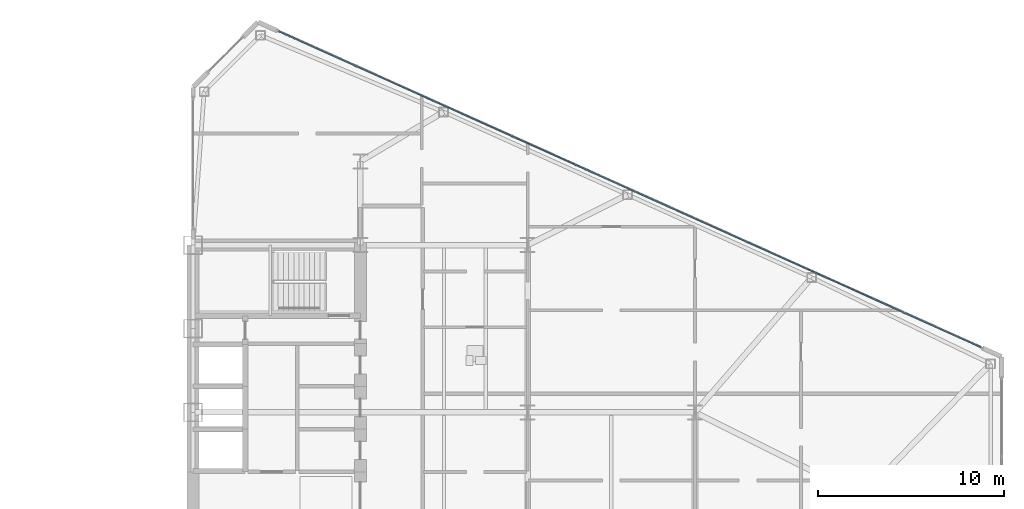
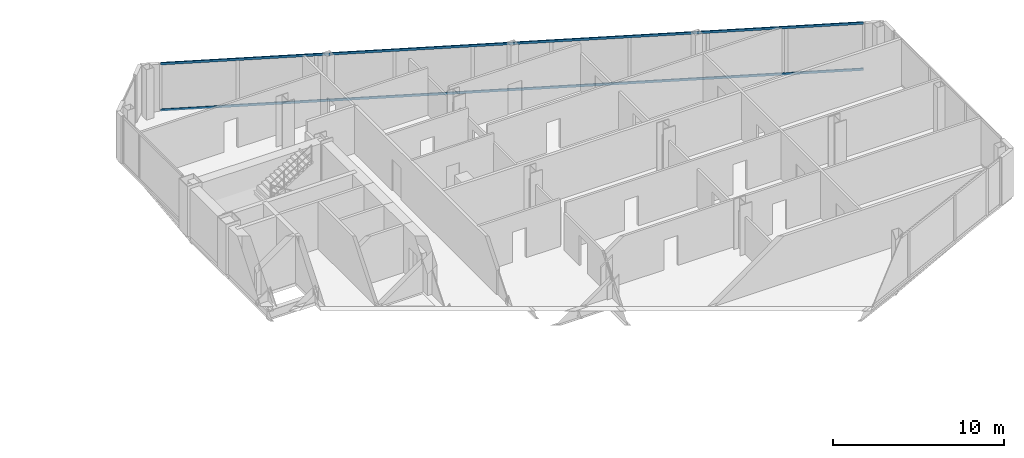
# One storey, part 14 of 27: 2 members, 1 element without a shape of its own.
"""IFC4 building model written with IfcOpenShell, lengths in metres."""

from ifc_helpers import new_model, si_unit, direction, frame, origin, origin_2d, place, context, subcontext, project, spatial, rectangle, extrude, source, transform, mapped, material, layer, layer_set, material_profile, profile_set, type_object, type_shapes, element, aggregate, save


model = new_model("IFC4")

# Units and contexts
model_context = context("Model", 3, precision=1e-05, world=origin(), true_north=direction((0.0, 1.0)))
body_context = subcontext(model_context, "Body", "Model", "MODEL_VIEW")
ifc_project = project(units=[si_unit("LENGTHUNIT", "METRE"), si_unit("AREAUNIT", "SQUARE_METRE"), si_unit("VOLUMEUNIT", "CUBIC_METRE"), si_unit("PLANEANGLEUNIT", "RADIAN"), si_unit("MASSUNIT", "GRAM", prefix="KILO")], contexts=[model_context])

# Site, building, storey
site_placement = place(None, origin())
site = spatial("IfcSite", under=ifc_project, at=site_placement, CompositionType="ELEMENT")
building_placement = place(site_placement, origin())
building = spatial("IfcBuilding", under=site, at=building_placement, Name="Seokmaru Belvedere", CompositionType="ELEMENT")
storey_placement = place(building_placement, frame((0.0, 0.0, 76.5)))
storey = spatial("IfcBuildingStorey", under=building, at=storey_placement, Name="L20", CompositionType="ELEMENT", Elevation=76.5)

# Curtain wall, members
ifc_material_1 = material(Name="Bronze Triple Insulating Glass", Category="glass")
ifc_layer = layer(ifc_material_1, 0.195068359375)
ifc_layer_set = layer_set([ifc_layer], Name="Bronze Triple Insulating Glass")
curtain_wall_type = type_object("IfcCurtainWallType", Name="Lower-Mid Tapered Curtain Wall System CW-3", PredefinedType="NOTDEFINED", material=ifc_layer_set)
curtain_wall_placement = place(storey_placement, origin())
curtain_wall = element("IfcCurtainWall", 1, at=curtain_wall_placement, inside=storey, type_object=curtain_wall_type, Name="L20 Curtain Wall EF3", PredefinedType="NOTDEFINED")
ifc_material_2 = material(Name="Anodised Bronze Aluminium", Category="aluminium")
ifc_material_profile = material_profile(ifc_material_2, rectangle(XDim=0.070068359375, YDim=0.1650390625, at=origin_2d()), Name="CW-T-70x165")
ifc_profile_set = profile_set([ifc_material_profile], Name="Anodised Bronze Aluminium")
member_type = type_object("IfcMemberType", Name="Bronze Unitised Transom 70x165", PredefinedType="USERDEFINED", material=ifc_profile_set)
shared_shape = source(origin(), body_context, "Body", "SweptSolid", [
    extrude(rectangle(XDim=0.070068359375, YDim=0.1650390625, at=origin_2d()), origin(), (0.0, 0.0, 1.0), 41.423583984375),
])
type_shapes(member_type, [shared_shape])
member_1_placement = place(storey_placement, frame((69.887451171875, 8.00048828125, 0.034912109375), z_axis=(-0.911918637916, 0.410371048956, 0.0), x_axis=(-0.410371048956, -0.911918637916, 0.0)))
member_1 = element("IfcMember", 2, at=member_1_placement, type_object=member_type, Name="CW:L20:EF3 Continuous Transom 1", ObjectType="TRANSOM", PredefinedType="USERDEFINED", context=body_context, shape_type="MappedRepresentation", body=[
    mapped(shared_shape, transform((0.0, 0.0, 0.0), scale=1.0)),
])
member_2_placement = place(storey_placement, frame((69.887451171875, 8.00048828125, 3.344970703125), z_axis=(-0.911918637916, 0.410371048956, 0.0), x_axis=(-0.410371048956, -0.911918637916, 0.0)))
member_2 = element("IfcMember", 3, at=member_2_placement, type_object=member_type, Name="CW:L20:EF3 Continuous Transom 2", ObjectType="TRANSOM", PredefinedType="USERDEFINED", context=body_context, shape_type="MappedRepresentation", body=[
    mapped(shared_shape, transform((0.0, 0.0, 0.0), scale=1.0)),
])
aggregate(curtain_wall, [member_1, member_2])

save(model, "model.ifc")
